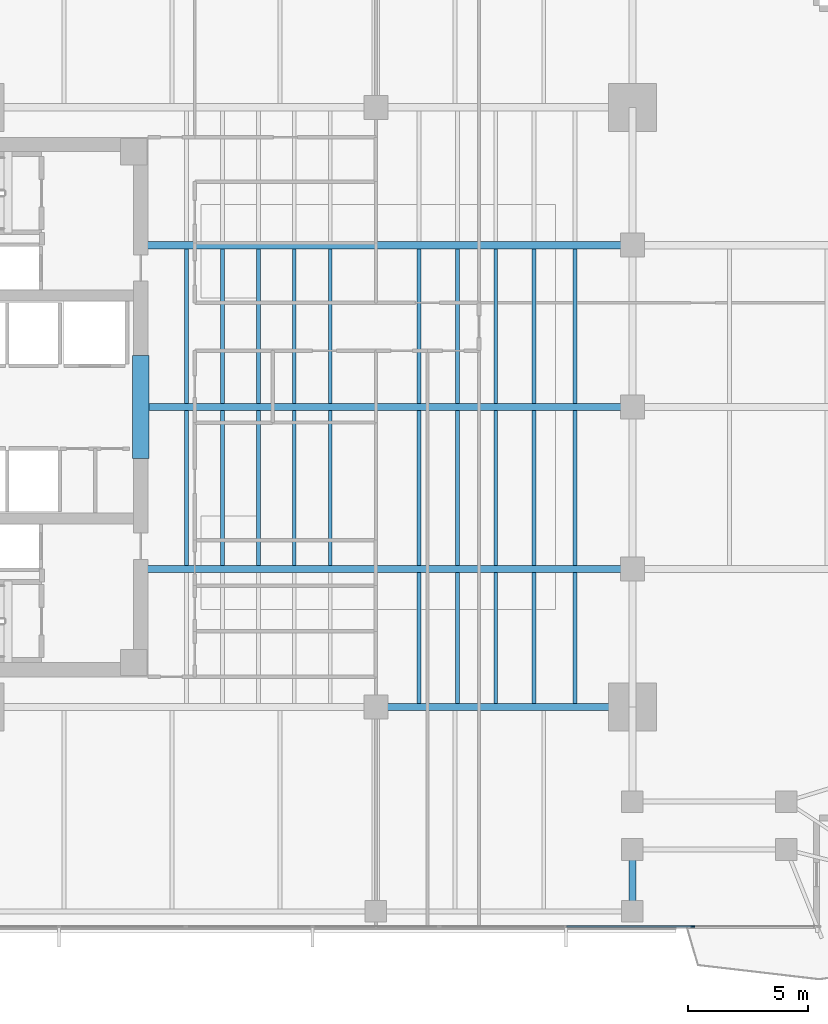
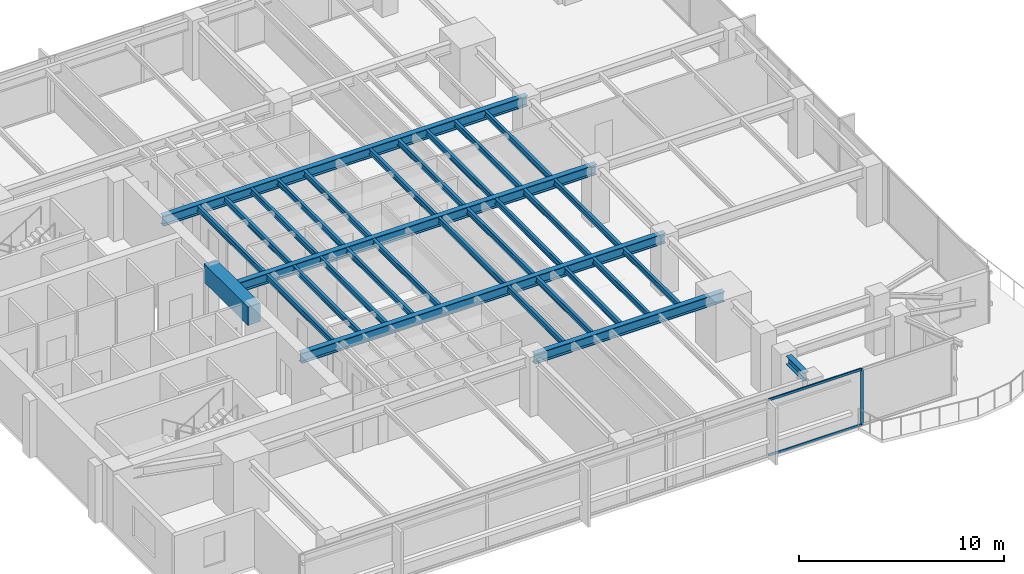
# One storey, part 3 of 14: 31 beams, 3 members, 1 element without a shape of its own.
"""IFC4 building model written with IfcOpenShell, lengths in metres."""

import ifcopenshell
import ifcopenshell.guid

model = None  # the IFC model being written
_history = None  # IfcOwnerHistory: only IFC2X3 demands one
_inside = {}  # id of a spatial element -> (the spatial element, [elements in it])
_under = {}  # id of a project, library or spatial element -> (it, [spatial elements below it])
_declared = {}  # id of a project -> (the project, [libraries it declares])
_typed = {}  # id of a type object -> (the type object, [elements of that type])
_made_of = {}  # id of a material, layer set ... -> (it, [elements and type objects made of it])


def new_model(schema):
    """Start an empty IFC model of exactly this schema.

    Asked for "IFC4X3", IfcOpenShell would pick the latest addendum, in which some entities
    have other attributes; the version numbers below select the first issue.
    IFC2X3 requires an IfcOwnerHistory on every rooted entity: one is made here for all.
    """
    global model, _history
    if schema == "IFC4X3":
        model = ifcopenshell.file(schema_version=(4, 3, 0, 0))
    else:
        model = ifcopenshell.file(schema=schema)
    _inside.clear()
    _under.clear()
    _declared.clear()
    _typed.clear()
    _made_of.clear()
    _history = None
    if model.schema == "IFC2X3":
        org = make("IfcOrganization", Name="unknown")
        user = make(
            "IfcPersonAndOrganization",
            ThePerson=make("IfcPerson", FamilyName="unknown"),
            TheOrganization=org,
        )
        app = make(
            "IfcApplication",
            ApplicationDeveloper=org,
            Version="unknown",
            ApplicationFullName="unknown",
            ApplicationIdentifier="unknown",
        )
        _history = make(
            "IfcOwnerHistory",
            OwningUser=user,
            OwningApplication=app,
            ChangeAction="ADDED",
            CreationDate=0,
        )
    return model


def make(cls, **values):
    """One entity of the class cls with the attributes given. An attribute that is None is left unset."""
    return model.create_entity(
        cls, **{name: value for name, value in values.items() if value is not None}
    )


def rooted(cls, **values):
    """An entity with a GlobalId (a new one), such as an element, a storey or a relation."""
    return make(cls, GlobalId=ifcopenshell.guid.new(), OwnerHistory=_history, **values)


def si_unit(unit_type, name, prefix=None):
    """IfcSIUnit, for example si_unit("LENGTHUNIT", "METRE", prefix="MILLI")."""
    return make("IfcSIUnit", UnitType=unit_type, Prefix=prefix, Name=name)


def assignment(units):
    """IfcUnitAssignment: the units of a project."""
    return None if units is None else make("IfcUnitAssignment", Units=units)


def point(xyz):
    """IfcCartesianPoint."""
    return None if xyz is None else make("IfcCartesianPoint", Coordinates=xyz)


def direction(xyz):
    """IfcDirection."""
    return None if xyz is None else make("IfcDirection", DirectionRatios=xyz)


def frame(location, z_axis=None, x_axis=None):
    """IfcAxis2Placement3D, a coordinate frame: its origin and axes. An axis left out is left unset."""
    return make(
        "IfcAxis2Placement3D",
        Location=point(location),
        Axis=direction(z_axis),
        RefDirection=direction(x_axis),
    )


def frame_2d(location, x_axis=None):
    """IfcAxis2Placement2D, a coordinate frame in the plane: its origin and x axis."""
    return make(
        "IfcAxis2Placement2D", Location=point(location), RefDirection=direction(x_axis)
    )


def origin():
    """The frame at (0, 0, 0) with its axes left unset."""
    return frame((0.0, 0.0, 0.0))


def origin_2d():
    """The frame at (0, 0) in the plane with its x axis left unset."""
    return frame_2d((0.0, 0.0))


def place(relative_to, where):
    """IfcLocalPlacement: puts the frame where relative to a parent placement (None: the world)."""
    return make(
        "IfcLocalPlacement", PlacementRelTo=relative_to, RelativePlacement=where
    )


def context(
    kind, dimensions, precision=None, world=None, true_north=None, identifier=None
):
    """IfcGeometricRepresentationContext, for example the 3D "Model" context."""
    return make(
        "IfcGeometricRepresentationContext",
        ContextIdentifier=identifier,
        ContextType=kind,
        CoordinateSpaceDimension=dimensions,
        Precision=precision,
        WorldCoordinateSystem=world,
        TrueNorth=true_north,
    )


def subcontext(parent, identifier, kind, view, scale=None):
    """IfcGeometricRepresentationSubContext, for example "Body" below "Model"."""
    return make(
        "IfcGeometricRepresentationSubContext",
        ContextIdentifier=identifier,
        ContextType=kind,
        ParentContext=parent,
        TargetScale=scale,
        TargetView=view,
    )


def project(units=None, contexts=None):
    """IfcProject with its units and contexts."""
    return rooted(
        "IfcProject",
        Name="project",
        RepresentationContexts=contexts,
        UnitsInContext=assignment(units),
    )


def spatial(cls, under=None, at=None, **own):
    """A site, building, storey or space (cls), placed at a placement, below another one or the project."""
    s = rooted(cls, ObjectPlacement=at, **own)
    if under is not None:
        _under.setdefault(under.id(), (under, []))[1].append(s)
    return s


def profile(cls, at=None, kind="AREA", **sizes):
    """A parametric profile (cls). Its sizes go by their IFC names, for example OverallWidth=200.0."""
    return make(cls, ProfileType=kind, Position=at, **sizes)


def rectangle(**sizes):
    """IfcRectangleProfileDef."""
    return profile("IfcRectangleProfileDef", **sizes)


def i_section(**sizes):
    """IfcIShapeProfileDef."""
    return profile("IfcIShapeProfileDef", **sizes)


def extrude(swept, where, along, depth):
    """IfcExtrudedAreaSolid: the profile swept, set in the frame where, extruded along a direction by depth."""
    return make(
        "IfcExtrudedAreaSolid",
        SweptArea=swept,
        Position=where,
        ExtrudedDirection=direction(along),
        Depth=depth,
    )


def shape(context_of_items, identifier, shape_type, items):
    """IfcShapeRepresentation: the items that make up one representation, for example the "Body"."""
    return make(
        "IfcShapeRepresentation",
        ContextOfItems=context_of_items,
        RepresentationIdentifier=identifier,
        RepresentationType=shape_type,
        Items=items,
    )


def material(Name=None, Category=None):
    """IfcMaterial."""
    return make("IfcMaterial", Name=Name, Category=Category)


def layer(
    of_material, thickness, ventilated=None, Name=None, Category=None, Priority=None
):
    """IfcMaterialLayer: one layer of a wall or slab, of a material (None: an air gap)."""
    return make(
        "IfcMaterialLayer",
        Material=of_material,
        LayerThickness=thickness,
        IsVentilated=ventilated,
        Name=Name,
        Category=Category,
        Priority=Priority,
    )


def layer_set(layers, Name=None):
    """IfcMaterialLayerSet."""
    return make("IfcMaterialLayerSet", MaterialLayers=layers, LayerSetName=Name)


def material_profile(
    of_material, cross_section, Name=None, Category=None, Priority=None
):
    """IfcMaterialProfile: a cross section and its material."""
    return make(
        "IfcMaterialProfile",
        Name=Name,
        Material=of_material,
        Profile=cross_section,
        Priority=Priority,
        Category=Category,
    )


def profile_set(profiles, Name=None, composite=None):
    """IfcMaterialProfileSet."""
    return make(
        "IfcMaterialProfileSet",
        Name=Name,
        MaterialProfiles=profiles,
        CompositeProfile=composite,
    )


def made_of(thing, what):
    """Note that an element or type object is made of a material, layer set ...; save() writes the relation."""
    if what is not None:
        _made_of.setdefault(what.id(), (what, []))[1].append(thing)
    return thing


def type_object(cls, material=None, **own):
    """A type object (cls), such as IfcWallType, which elements share."""
    return made_of(rooted(cls, **own), material)


def element(
    cls,
    number,
    at=None,
    inside=None,
    cuts=None,
    type_object=None,
    material=None,
    context=None,
    identifier="Body",
    shape_type=None,
    held_by="IfcProductDefinitionShape",
    body=None,
    shapes=None,
    **own,
):
    """One element of the class cls, such as IfcWall. Its Tag is "e" and its number.

    at: its placement. inside: the storey or other place that contains it. cuts: it is an
    opening in that element (IfcRelVoidsElement). A single representation is given by context,
    identifier, shape_type and body (its items); several are given by shapes. held_by: the class
    of the entity that holds the representations. save() writes the other relations.
    """
    e = rooted(cls, Tag="e%d" % number, ObjectPlacement=at, **own)
    if body is not None:
        shapes = [shape(context, identifier, shape_type, body)]
    if shapes is not None:
        e.Representation = make(held_by, Representations=shapes)
    if inside is not None:
        _inside.setdefault(inside.id(), (inside, []))[1].append(e)
    if cuts is not None:
        rooted(
            "IfcRelVoidsElement", RelatingBuildingElement=cuts, RelatedOpeningElement=e
        )
    if type_object is not None:
        _typed.setdefault(type_object.id(), (type_object, []))[1].append(e)
    return made_of(e, material)


def aggregate(whole, parts):
    """IfcRelAggregates: a whole, such as a stair, and the parts it consists of."""
    return rooted("IfcRelAggregates", RelatingObject=whole, RelatedObjects=parts)


def save(model, path):
    """Write the relations noted so far, then the file.

    IfcRelAggregates (storeys below a building ...), IfcRelContainedInSpatialStructure (elements
    in a storey), IfcRelDefinesByType, IfcRelAssociatesMaterial and IfcRelDeclares: one each for
    every whole, place, type object, material and project.
    """
    for whole, parts in _under.values():
        aggregate(whole, parts)
    for where, things in _inside.values():
        rooted(
            "IfcRelContainedInSpatialStructure",
            RelatedElements=things,
            RelatingStructure=where,
        )
    for kind, things in _typed.values():
        rooted("IfcRelDefinesByType", RelatedObjects=things, RelatingType=kind)
    for what, things in _made_of.values():
        rooted("IfcRelAssociatesMaterial", RelatedObjects=things, RelatingMaterial=what)
    for by, libraries in _declared.values():
        rooted("IfcRelDeclares", RelatingContext=by, RelatedDefinitions=libraries)
    model.write(path)


model = new_model("IFC4")

# Units and contexts
model_context = context("Model", 3, precision=1e-05, world=origin(), true_north=direction((0.0, 1.0)))
body_context = subcontext(model_context, "Body", "Model", "MODEL_VIEW")
ifc_project = project(units=[si_unit("LENGTHUNIT", "METRE"), si_unit("AREAUNIT", "SQUARE_METRE"), si_unit("VOLUMEUNIT", "CUBIC_METRE"), si_unit("PLANEANGLEUNIT", "RADIAN"), si_unit("MASSUNIT", "GRAM", prefix="KILO")], contexts=[model_context])

# Site, building, storey
site_placement = place(None, origin())
site = spatial("IfcSite", under=ifc_project, at=site_placement, CompositionType="ELEMENT")
building_placement = place(site_placement, origin())
building = spatial("IfcBuilding", under=site, at=building_placement, Name="Kinhvarn Gate Tower", CompositionType="ELEMENT")
storey_placement = place(building_placement, frame((0.0, 0.0, 159.050048828125)))
storey = spatial("IfcBuildingStorey", under=building, at=storey_placement, Name="L42", CompositionType="ELEMENT", Elevation=159.050048828125)

# Beam
ifc_material_1 = material(Name="Concrete C70/85", Category="concrete")
ifc_material_profile_1 = material_profile(ifc_material_1, rectangle(XDim=0.699951171875, YDim=1.10009765625, at=origin_2d()), Name="RC 700x1100")
ifc_profile_set_1 = profile_set([ifc_material_profile_1], Name="Concrete C70/85")
beam_type_1 = type_object("IfcBeamType", Name="BM-CB-1100", PredefinedType="LINTEL", material=ifc_profile_set_1)
beam_1_placement = place(storey_placement, frame((17.699951171875, 23.10009765625, 2.820068359375), z_axis=(0.0, 1.0, 0.0), x_axis=(-1.0, 0.0, 0.0)))
element("IfcBeam", 1, at=beam_1_placement, inside=storey, type_object=beam_type_1, Name="Core East Portal Coupling Beam L42", PredefinedType="LINTEL", context=body_context, shape_type="SweptSolid", body=[
    extrude(rectangle(XDim=0.699951171875, YDim=1.10009765625, at=origin_2d()), origin(), (0.0, 0.0, 1.0), 4.2998046875),
])

# Curtain wall, members
ifc_material_2 = material(Name="Anodised aluminium AW-6063", Category="aluminium")
ifc_layer = layer(ifc_material_2, 0.179931640625)
ifc_layer_set = layer_set([ifc_layer], Name="Anodised aluminium AW-6063")
curtain_wall_type = type_object("IfcCurtainWallType", Name="CW-SYS-3", PredefinedType="NOTDEFINED", material=ifc_layer_set)
curtain_wall_placement = place(storey_placement, origin())
curtain_wall = element("IfcCurtainWall", 2, at=curtain_wall_placement, inside=storey, type_object=curtain_wall_type, Name="Curtain Wall CW3 (L42)", PredefinedType="NOTDEFINED")
ifc_material_profile_2 = material_profile(ifc_material_2, rectangle(XDim=0.06494140625, YDim=0.159912109375, at=origin_2d()), Name="ALU 65x160")
ifc_profile_set_2 = profile_set([ifc_material_profile_2], Name="Anodised aluminium AW-6063")
member_type_1 = type_object("IfcMemberType", Name="CW-MUL-160", PredefinedType="MULLION", material=ifc_profile_set_2)
member_1_placement = place(storey_placement, frame((40.71435546875, 3.590087890625, 0.0), z_axis=(0.0, 0.0, 1.0), x_axis=(0.0, 1.0, 0.0)))
member_1 = element("IfcMember", 3, at=member_1_placement, type_object=member_type_1, Name="CW3 mullion 7", PredefinedType="MULLION", context=body_context, shape_type="SweptSolid", body=[
    extrude(rectangle(XDim=0.06494140625, YDim=0.159912109375, at=origin_2d()), origin(), (0.0, 0.0, 1.0), 3.369873046875),
])
ifc_material_profile_3 = material_profile(ifc_material_2, rectangle(XDim=0.070068359375, YDim=0.139892578125, at=origin_2d()), Name="ALU 70x140")
ifc_profile_set_3 = profile_set([ifc_material_profile_3], Name="Anodised aluminium AW-6063")
member_type_2 = type_object("IfcMemberType", Name="CW-TRN-140", PredefinedType="USERDEFINED", material=ifc_profile_set_3)
member_2_placement = place(storey_placement, frame((35.461181640625, 3.590087890625, 0.034912109375), z_axis=(1.0, 0.0, 0.0), x_axis=(0.0, 1.0, 0.0)))
member_2 = element("IfcMember", 4, at=member_2_placement, type_object=member_type_2, Name="CW3 transom 6.1", ObjectType="TRANSOM", PredefinedType="USERDEFINED", context=body_context, shape_type="SweptSolid", body=[
    extrude(rectangle(XDim=0.070068359375, YDim=0.139892578125, at=origin_2d()), origin(), (0.0, 0.0, 1.0), 5.220703125),
])
member_3_placement = place(storey_placement, frame((35.461181640625, 3.590087890625, 3.3349609375), z_axis=(1.0, 0.0, 0.0), x_axis=(0.0, 1.0, 0.0)))
member_3 = element("IfcMember", 5, at=member_3_placement, type_object=member_type_2, Name="CW3 transom 6.2", ObjectType="TRANSOM", PredefinedType="USERDEFINED", context=body_context, shape_type="SweptSolid", body=[
    extrude(rectangle(XDim=0.070068359375, YDim=0.139892578125, at=origin_2d()), origin(), (0.0, 0.0, 1.0), 5.220703125),
])
aggregate(curtain_wall, [member_1, member_2, member_3])

# Beams
ifc_material_3 = material(Name="Steel S355", Category="steel")
ifc_material_profile_4 = material_profile(ifc_material_3, i_section(OverallWidth=0.300048828125, OverallDepth=0.5, WebThickness=0.014404296875, FlangeThickness=0.028076171875, at=origin_2d()), Name="HEB 500")
ifc_profile_set_4 = profile_set([ifc_material_profile_4], Name="Steel S355")
beam_type_2 = type_object("IfcBeamType", Name="STL-HEB500", PredefinedType="BEAM", material=ifc_profile_set_4)
beam_2_placement = place(storey_placement, frame((38.199951171875, 4.655029296875, 3.119873046875), z_axis=(0.0, 1.0, 0.0), x_axis=(-1.0, 0.0, 0.0)))
element("IfcBeam", 6, at=beam_2_placement, inside=storey, type_object=beam_type_2, Name="Floor Beam PG-14 (L42 MCE-S-A0)", PredefinedType="BEAM", context=body_context, shape_type="SweptSolid", body=[
    extrude(i_section(OverallWidth=0.300048828125, OverallDepth=0.5, WebThickness=0.014404296875, FlangeThickness=0.028076171875, at=origin_2d()), origin(), (0.0, 0.0, 1.0), 1.7099609375),
])
ifc_material_profile_5 = material_profile(ifc_material_3, i_section(OverallWidth=0.300048828125, OverallDepth=0.60009765625, WebThickness=0.015380859375, FlangeThickness=0.030029296875, at=origin_2d()), Name="HEB 600")
ifc_profile_set_5 = profile_set([ifc_material_profile_5], Name="Steel S355")
beam_type_3 = type_object("IfcBeamType", Name="STL-HEB600", PredefinedType="BEAM", material=ifc_profile_set_5)
beam_3_placement = place(storey_placement, frame((27.5, 12.75, 3.070068359375), z_axis=(1.0, 0.0, 0.0), x_axis=(0.0, 1.0, 0.0)))
element("IfcBeam", 7, at=beam_3_placement, inside=storey, type_object=beam_type_3, Name="Floor Beam PG-16 (L42 MG-S2)", PredefinedType="BEAM", context=body_context, shape_type="SweptSolid", body=[
    extrude(i_section(OverallWidth=0.300048828125, OverallDepth=0.60009765625, WebThickness=0.015380859375, FlangeThickness=0.030029296875, at=origin_2d()), origin(), (0.0, 0.0, 1.0), 10.699951171875),
])
beam_4_placement = place(storey_placement, frame((17.64990234375, 18.5, 3.070068359375), z_axis=(1.0, 0.0, 0.0), x_axis=(0.0, 1.0, 0.0)))
element("IfcBeam", 8, at=beam_4_placement, inside=storey, type_object=beam_type_3, Name="Floor Beam PG-16 (L42 EW1-Y18)", PredefinedType="BEAM", context=body_context, shape_type="SweptSolid", body=[
    extrude(i_section(OverallWidth=0.300048828125, OverallDepth=0.60009765625, WebThickness=0.015380859375, FlangeThickness=0.030029296875, at=origin_2d()), origin(), (0.0, 0.0, 1.0), 20.550048828125),
])
beam_5_placement = place(storey_placement, frame((18.050048828125, 25.25, 3.070068359375), z_axis=(1.0, 0.0, 0.0), x_axis=(0.0, 1.0, 0.0)))
element("IfcBeam", 9, at=beam_5_placement, inside=storey, type_object=beam_type_3, Name="Floor Beam PG-16 (L42 EW1-Y25)", PredefinedType="BEAM", context=body_context, shape_type="SweptSolid", body=[
    extrude(i_section(OverallWidth=0.300048828125, OverallDepth=0.60009765625, WebThickness=0.015380859375, FlangeThickness=0.030029296875, at=origin_2d()), origin(), (0.0, 0.0, 1.0), 20.14990234375),
])
beam_6_placement = place(storey_placement, frame((17.64990234375, 32.0, 3.070068359375), z_axis=(1.0, 0.0, 0.0), x_axis=(0.0, 1.0, 0.0)))
element("IfcBeam", 10, at=beam_6_placement, inside=storey, type_object=beam_type_3, Name="Floor Beam PG-16 (L42 EW1-Y32)", PredefinedType="BEAM", context=body_context, shape_type="SweptSolid", body=[
    extrude(i_section(OverallWidth=0.300048828125, OverallDepth=0.60009765625, WebThickness=0.015380859375, FlangeThickness=0.030029296875, at=origin_2d()), origin(), (0.0, 0.0, 1.0), 20.550048828125),
])
ifc_material_profile_6 = material_profile(ifc_material_3, i_section(OverallWidth=0.159912109375, OverallDepth=0.330078125, WebThickness=0.007568359375, FlangeThickness=0.011474609375, at=origin_2d()), Name="IPE 330")
ifc_profile_set_6 = profile_set([ifc_material_profile_6], Name="Steel S355")
beam_type_4 = type_object("IfcBeamType", Name="STL-IPE330", PredefinedType="JOIST", material=ifc_profile_set_6)
for number, where, z_axis, x_axis, name in (
    (11, (19.60009765625, 18.64990234375, 3.204833984375), (0.0, 1.0, 0.0), (-1.0, 0.0, 0.0), "Floor Joist SB-03 (L42 JC-X196-1)"),
    (12, (19.60009765625, 25.39990234375, 3.204833984375), (0.0, 1.0, 0.0), (-1.0, 0.0, 0.0), "Floor Joist SB-03 (L42 JC-X196-2)"),
    (13, (21.10009765625, 18.64990234375, 3.204833984375), (0.0, 1.0, 0.0), (-1.0, 0.0, 0.0), "Floor Joist SB-03 (L42 JC-X211-1)"),
    (14, (21.10009765625, 25.39990234375, 3.204833984375), (0.0, 1.0, 0.0), (-1.0, 0.0, 0.0), "Floor Joist SB-03 (L42 JC-X211-2)"),
    (15, (22.60009765625, 18.64990234375, 3.204833984375), (0.0, 1.0, 0.0), (-1.0, 0.0, 0.0), "Floor Joist SB-03 (L42 JC-X226-1)"),
    (16, (22.60009765625, 25.39990234375, 3.204833984375), (0.0, 1.0, 0.0), (-1.0, 0.0, 0.0), "Floor Joist SB-03 (L42 JC-X226-2)"),
    (17, (24.10009765625, 18.64990234375, 3.204833984375), (0.0, 1.0, 0.0), (-1.0, 0.0, 0.0), "Floor Joist SB-03 (L42 JC-X241-1)"),
    (18, (24.10009765625, 25.39990234375, 3.204833984375), (0.0, 1.0, 0.0), (-1.0, 0.0, 0.0), "Floor Joist SB-03 (L42 JC-X241-2)"),
    (19, (25.60009765625, 18.64990234375, 3.204833984375), (0.0, 1.0, 0.0), (-1.0, 0.0, 0.0), "Floor Joist SB-03 (L42 JC-X256-1)"),
    (20, (25.60009765625, 25.39990234375, 3.204833984375), (0.0, 1.0, 0.0), (-1.0, 0.0, 0.0), "Floor Joist SB-03 (L42 JC-X256-2)"),
):
    element("IfcBeam", number, at=place(storey_placement, frame(where, z_axis=z_axis, x_axis=x_axis)), inside=storey, type_object=beam_type_4, Name=name, PredefinedType="JOIST", context=body_context, shape_type="SweptSolid", body=[
        extrude(i_section(OverallWidth=0.159912109375, OverallDepth=0.330078125, WebThickness=0.007568359375, FlangeThickness=0.011474609375, at=origin_2d()), origin(), (0.0, 0.0, 1.0), 6.4501953125),
    ])
beam_7_placement = place(storey_placement, frame((29.300048828125, 12.89990234375, 3.204833984375), z_axis=(0.0, 1.0, 0.0), x_axis=(-1.0, 0.0, 0.0)))
element("IfcBeam", 21, at=beam_7_placement, inside=storey, type_object=beam_type_4, Name="Floor Joist SB-03 (L42 JC-X293-0)", PredefinedType="JOIST", context=body_context, shape_type="SweptSolid", body=[
    extrude(i_section(OverallWidth=0.159912109375, OverallDepth=0.330078125, WebThickness=0.007568359375, FlangeThickness=0.011474609375, at=origin_2d()), origin(), (0.0, 0.0, 1.0), 5.4501953125),
])
for number, where, z_axis, x_axis, name in (
    (22, (29.300048828125, 18.64990234375, 3.204833984375), (0.0, 1.0, 0.0), (-1.0, 0.0, 0.0), "Floor Joist SB-03 (L42 JC-X293-1)"),
    (23, (29.300048828125, 25.39990234375, 3.204833984375), (0.0, 1.0, 0.0), (-1.0, 0.0, 0.0), "Floor Joist SB-03 (L42 JC-X293-2)"),
):
    element("IfcBeam", number, at=place(storey_placement, frame(where, z_axis=z_axis, x_axis=x_axis)), inside=storey, type_object=beam_type_4, Name=name, PredefinedType="JOIST", context=body_context, shape_type="SweptSolid", body=[
        extrude(i_section(OverallWidth=0.159912109375, OverallDepth=0.330078125, WebThickness=0.007568359375, FlangeThickness=0.011474609375, at=origin_2d()), origin(), (0.0, 0.0, 1.0), 6.4501953125),
    ])
beam_8_placement = place(storey_placement, frame((30.89990234375, 12.89990234375, 3.204833984375), z_axis=(0.0, 1.0, 0.0), x_axis=(-1.0, 0.0, 0.0)))
element("IfcBeam", 24, at=beam_8_placement, inside=storey, type_object=beam_type_4, Name="Floor Joist SB-03 (L42 JC-X309-0)", PredefinedType="JOIST", context=body_context, shape_type="SweptSolid", body=[
    extrude(i_section(OverallWidth=0.159912109375, OverallDepth=0.330078125, WebThickness=0.007568359375, FlangeThickness=0.011474609375, at=origin_2d()), origin(), (0.0, 0.0, 1.0), 5.4501953125),
])
for number, where, z_axis, x_axis, name in (
    (25, (30.89990234375, 18.64990234375, 3.204833984375), (0.0, 1.0, 0.0), (-1.0, 0.0, 0.0), "Floor Joist SB-03 (L42 JC-X309-1)"),
    (26, (30.89990234375, 25.39990234375, 3.204833984375), (0.0, 1.0, 0.0), (-1.0, 0.0, 0.0), "Floor Joist SB-03 (L42 JC-X309-2)"),
):
    element("IfcBeam", number, at=place(storey_placement, frame(where, z_axis=z_axis, x_axis=x_axis)), inside=storey, type_object=beam_type_4, Name=name, PredefinedType="JOIST", context=body_context, shape_type="SweptSolid", body=[
        extrude(i_section(OverallWidth=0.159912109375, OverallDepth=0.330078125, WebThickness=0.007568359375, FlangeThickness=0.011474609375, at=origin_2d()), origin(), (0.0, 0.0, 1.0), 6.4501953125),
    ])
beam_9_placement = place(storey_placement, frame((32.5, 12.89990234375, 3.204833984375), z_axis=(0.0, 1.0, 0.0), x_axis=(-1.0, 0.0, 0.0)))
element("IfcBeam", 27, at=beam_9_placement, inside=storey, type_object=beam_type_4, Name="Floor Joist SB-03 (L42 JC-X325-0)", PredefinedType="JOIST", context=body_context, shape_type="SweptSolid", body=[
    extrude(i_section(OverallWidth=0.159912109375, OverallDepth=0.330078125, WebThickness=0.007568359375, FlangeThickness=0.011474609375, at=origin_2d()), origin(), (0.0, 0.0, 1.0), 5.4501953125),
])
for number, where, z_axis, x_axis, name in (
    (28, (32.5, 18.64990234375, 3.204833984375), (0.0, 1.0, 0.0), (-1.0, 0.0, 0.0), "Floor Joist SB-03 (L42 JC-X325-1)"),
    (29, (32.5, 25.39990234375, 3.204833984375), (0.0, 1.0, 0.0), (-1.0, 0.0, 0.0), "Floor Joist SB-03 (L42 JC-X325-2)"),
):
    element("IfcBeam", number, at=place(storey_placement, frame(where, z_axis=z_axis, x_axis=x_axis)), inside=storey, type_object=beam_type_4, Name=name, PredefinedType="JOIST", context=body_context, shape_type="SweptSolid", body=[
        extrude(i_section(OverallWidth=0.159912109375, OverallDepth=0.330078125, WebThickness=0.007568359375, FlangeThickness=0.011474609375, at=origin_2d()), origin(), (0.0, 0.0, 1.0), 6.4501953125),
    ])
beam_10_placement = place(storey_placement, frame((34.10009765625, 12.89990234375, 3.204833984375), z_axis=(0.0, 1.0, 0.0), x_axis=(-1.0, 0.0, 0.0)))
element("IfcBeam", 30, at=beam_10_placement, inside=storey, type_object=beam_type_4, Name="Floor Joist SB-03 (L42 JC-X341-0)", PredefinedType="JOIST", context=body_context, shape_type="SweptSolid", body=[
    extrude(i_section(OverallWidth=0.159912109375, OverallDepth=0.330078125, WebThickness=0.007568359375, FlangeThickness=0.011474609375, at=origin_2d()), origin(), (0.0, 0.0, 1.0), 5.4501953125),
])
for number, where, z_axis, x_axis, name in (
    (31, (34.10009765625, 18.64990234375, 3.204833984375), (0.0, 1.0, 0.0), (-1.0, 0.0, 0.0), "Floor Joist SB-03 (L42 JC-X341-1)"),
    (32, (34.10009765625, 25.39990234375, 3.204833984375), (0.0, 1.0, 0.0), (-1.0, 0.0, 0.0), "Floor Joist SB-03 (L42 JC-X341-2)"),
):
    element("IfcBeam", number, at=place(storey_placement, frame(where, z_axis=z_axis, x_axis=x_axis)), inside=storey, type_object=beam_type_4, Name=name, PredefinedType="JOIST", context=body_context, shape_type="SweptSolid", body=[
        extrude(i_section(OverallWidth=0.159912109375, OverallDepth=0.330078125, WebThickness=0.007568359375, FlangeThickness=0.011474609375, at=origin_2d()), origin(), (0.0, 0.0, 1.0), 6.4501953125),
    ])
beam_11_placement = place(storey_placement, frame((35.800048828125, 12.89990234375, 3.204833984375), z_axis=(0.0, 1.0, 0.0), x_axis=(-1.0, 0.0, 0.0)))
element("IfcBeam", 33, at=beam_11_placement, inside=storey, type_object=beam_type_4, Name="Floor Joist SB-03 (L42 JC-X358-0)", PredefinedType="JOIST", context=body_context, shape_type="SweptSolid", body=[
    extrude(i_section(OverallWidth=0.159912109375, OverallDepth=0.330078125, WebThickness=0.007568359375, FlangeThickness=0.011474609375, at=origin_2d()), origin(), (0.0, 0.0, 1.0), 5.4501953125),
])
for number, where, z_axis, x_axis, name in (
    (34, (35.800048828125, 18.64990234375, 3.204833984375), (0.0, 1.0, 0.0), (-1.0, 0.0, 0.0), "Floor Joist SB-03 (L42 JC-X358-1)"),
    (35, (35.800048828125, 25.39990234375, 3.204833984375), (0.0, 1.0, 0.0), (-1.0, 0.0, 0.0), "Floor Joist SB-03 (L42 JC-X358-2)"),
):
    element("IfcBeam", number, at=place(storey_placement, frame(where, z_axis=z_axis, x_axis=x_axis)), inside=storey, type_object=beam_type_4, Name=name, PredefinedType="JOIST", context=body_context, shape_type="SweptSolid", body=[
        extrude(i_section(OverallWidth=0.159912109375, OverallDepth=0.330078125, WebThickness=0.007568359375, FlangeThickness=0.011474609375, at=origin_2d()), origin(), (0.0, 0.0, 1.0), 6.4501953125),
    ])

save(model, "model.ifc")
